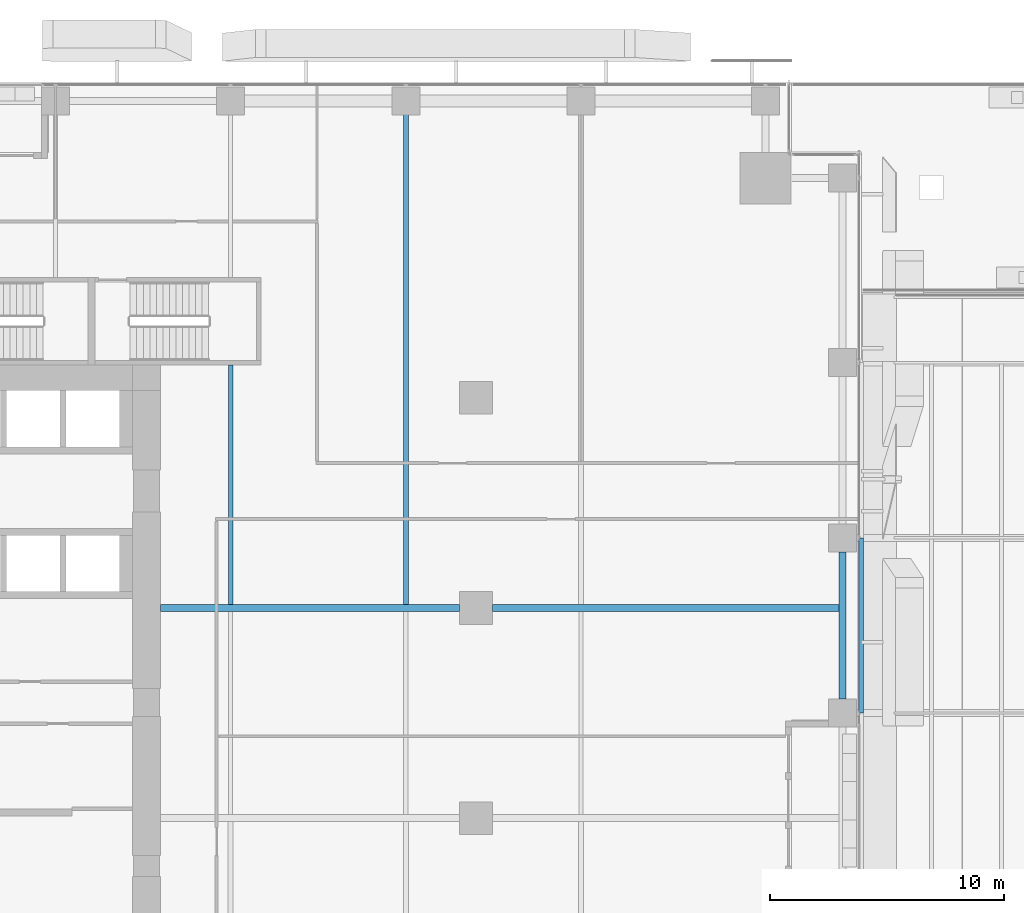
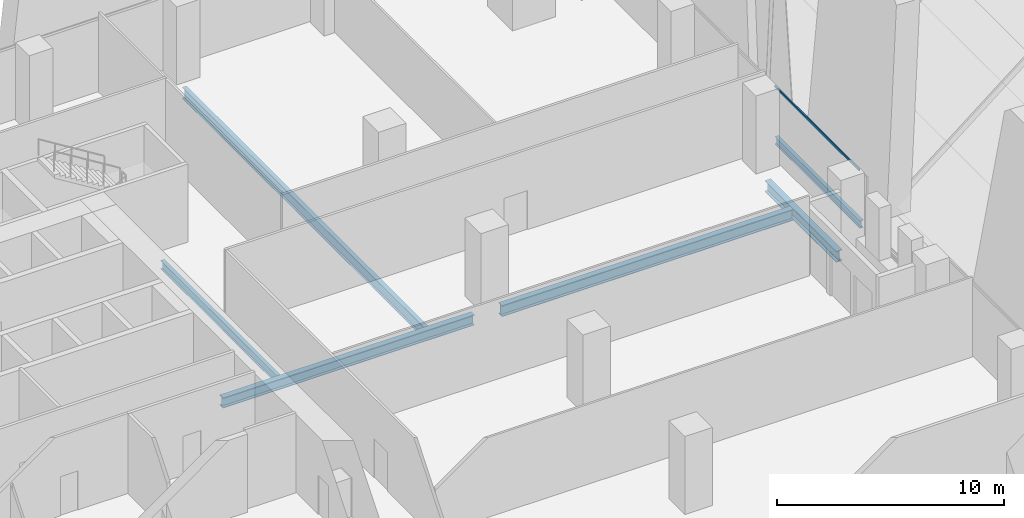
# One storey, part 17 of 46: 5 beams, 2 members, 1 element without a shape of its own.
"""IFC4 building model written with IfcOpenShell, lengths in metres."""

import ifcopenshell
import ifcopenshell.guid

model = None  # the IFC model being written
_history = None  # IfcOwnerHistory: only IFC2X3 demands one
_inside = {}  # id of a spatial element -> (the spatial element, [elements in it])
_under = {}  # id of a project, library or spatial element -> (it, [spatial elements below it])
_declared = {}  # id of a project -> (the project, [libraries it declares])
_typed = {}  # id of a type object -> (the type object, [elements of that type])
_made_of = {}  # id of a material, layer set ... -> (it, [elements and type objects made of it])


def new_model(schema):
    """Start an empty IFC model of exactly this schema.

    Asked for "IFC4X3", IfcOpenShell would pick the latest addendum, in which some entities
    have other attributes; the version numbers below select the first issue.
    IFC2X3 requires an IfcOwnerHistory on every rooted entity: one is made here for all.
    """
    global model, _history
    if schema == "IFC4X3":
        model = ifcopenshell.file(schema_version=(4, 3, 0, 0))
    else:
        model = ifcopenshell.file(schema=schema)
    _inside.clear()
    _under.clear()
    _declared.clear()
    _typed.clear()
    _made_of.clear()
    _history = None
    if model.schema == "IFC2X3":
        org = make("IfcOrganization", Name="unknown")
        user = make(
            "IfcPersonAndOrganization",
            ThePerson=make("IfcPerson", FamilyName="unknown"),
            TheOrganization=org,
        )
        app = make(
            "IfcApplication",
            ApplicationDeveloper=org,
            Version="unknown",
            ApplicationFullName="unknown",
            ApplicationIdentifier="unknown",
        )
        _history = make(
            "IfcOwnerHistory",
            OwningUser=user,
            OwningApplication=app,
            ChangeAction="ADDED",
            CreationDate=0,
        )
    return model


def make(cls, **values):
    """One entity of the class cls with the attributes given. An attribute that is None is left unset."""
    return model.create_entity(
        cls, **{name: value for name, value in values.items() if value is not None}
    )


def rooted(cls, **values):
    """An entity with a GlobalId (a new one), such as an element, a storey or a relation."""
    return make(cls, GlobalId=ifcopenshell.guid.new(), OwnerHistory=_history, **values)


def si_unit(unit_type, name, prefix=None):
    """IfcSIUnit, for example si_unit("LENGTHUNIT", "METRE", prefix="MILLI")."""
    return make("IfcSIUnit", UnitType=unit_type, Prefix=prefix, Name=name)


def assignment(units):
    """IfcUnitAssignment: the units of a project."""
    return None if units is None else make("IfcUnitAssignment", Units=units)


def point(xyz):
    """IfcCartesianPoint."""
    return None if xyz is None else make("IfcCartesianPoint", Coordinates=xyz)


def direction(xyz):
    """IfcDirection."""
    return None if xyz is None else make("IfcDirection", DirectionRatios=xyz)


def frame(location, z_axis=None, x_axis=None):
    """IfcAxis2Placement3D, a coordinate frame: its origin and axes. An axis left out is left unset."""
    return make(
        "IfcAxis2Placement3D",
        Location=point(location),
        Axis=direction(z_axis),
        RefDirection=direction(x_axis),
    )


def frame_2d(location, x_axis=None):
    """IfcAxis2Placement2D, a coordinate frame in the plane: its origin and x axis."""
    return make(
        "IfcAxis2Placement2D", Location=point(location), RefDirection=direction(x_axis)
    )


def origin():
    """The frame at (0, 0, 0) with its axes left unset."""
    return frame((0.0, 0.0, 0.0))


def origin_2d():
    """The frame at (0, 0) in the plane with its x axis left unset."""
    return frame_2d((0.0, 0.0))


def place(relative_to, where):
    """IfcLocalPlacement: puts the frame where relative to a parent placement (None: the world)."""
    return make(
        "IfcLocalPlacement", PlacementRelTo=relative_to, RelativePlacement=where
    )


def context(
    kind, dimensions, precision=None, world=None, true_north=None, identifier=None
):
    """IfcGeometricRepresentationContext, for example the 3D "Model" context."""
    return make(
        "IfcGeometricRepresentationContext",
        ContextIdentifier=identifier,
        ContextType=kind,
        CoordinateSpaceDimension=dimensions,
        Precision=precision,
        WorldCoordinateSystem=world,
        TrueNorth=true_north,
    )


def subcontext(parent, identifier, kind, view, scale=None):
    """IfcGeometricRepresentationSubContext, for example "Body" below "Model"."""
    return make(
        "IfcGeometricRepresentationSubContext",
        ContextIdentifier=identifier,
        ContextType=kind,
        ParentContext=parent,
        TargetScale=scale,
        TargetView=view,
    )


def project(units=None, contexts=None):
    """IfcProject with its units and contexts."""
    return rooted(
        "IfcProject",
        Name="project",
        RepresentationContexts=contexts,
        UnitsInContext=assignment(units),
    )


def spatial(cls, under=None, at=None, **own):
    """A site, building, storey or space (cls), placed at a placement, below another one or the project."""
    s = rooted(cls, ObjectPlacement=at, **own)
    if under is not None:
        _under.setdefault(under.id(), (under, []))[1].append(s)
    return s


def profile(cls, at=None, kind="AREA", **sizes):
    """A parametric profile (cls). Its sizes go by their IFC names, for example OverallWidth=200.0."""
    return make(cls, ProfileType=kind, Position=at, **sizes)


def hollow_rectangle(**sizes):
    """IfcRectangleHollowProfileDef."""
    return profile("IfcRectangleHollowProfileDef", **sizes)


def i_section(**sizes):
    """IfcIShapeProfileDef."""
    return profile("IfcIShapeProfileDef", **sizes)


def extrude(swept, where, along, depth):
    """IfcExtrudedAreaSolid: the profile swept, set in the frame where, extruded along a direction by depth."""
    return make(
        "IfcExtrudedAreaSolid",
        SweptArea=swept,
        Position=where,
        ExtrudedDirection=direction(along),
        Depth=depth,
    )


def shape(context_of_items, identifier, shape_type, items):
    """IfcShapeRepresentation: the items that make up one representation, for example the "Body"."""
    return make(
        "IfcShapeRepresentation",
        ContextOfItems=context_of_items,
        RepresentationIdentifier=identifier,
        RepresentationType=shape_type,
        Items=items,
    )


def source(mapping_origin, context_of_items, identifier, shape_type, items):
    """IfcRepresentationMap: a shape defined once, which mapped items show again and again."""
    return make(
        "IfcRepresentationMap",
        MappingOrigin=mapping_origin,
        MappedRepresentation=shape(context_of_items, identifier, shape_type, items),
    )


def transform(
    local_origin,
    x_axis=None,
    y_axis=None,
    z_axis=None,
    scale=None,
    scale2=None,
    scale3=None,
    uniform=True,
):
    """IfcCartesianTransformationOperator3D, or its non-uniform kind. x_axis, y_axis, z_axis: its Axis1, 2, 3."""
    if uniform:
        return make(
            "IfcCartesianTransformationOperator3D",
            Axis1=direction(x_axis),
            Axis2=direction(y_axis),
            LocalOrigin=point(local_origin),
            Scale=scale,
            Axis3=direction(z_axis),
        )
    return make(
        "IfcCartesianTransformationOperator3DnonUniform",
        Axis1=direction(x_axis),
        Axis2=direction(y_axis),
        LocalOrigin=point(local_origin),
        Scale=scale,
        Axis3=direction(z_axis),
        Scale2=scale2,
        Scale3=scale3,
    )


def mapped(mapping_source, mapping_target):
    """IfcMappedItem: shows the shape of a source again, moved by a transform."""
    return make(
        "IfcMappedItem", MappingSource=mapping_source, MappingTarget=mapping_target
    )


def material(Name=None, Category=None):
    """IfcMaterial."""
    return make("IfcMaterial", Name=Name, Category=Category)


def material_profile(
    of_material, cross_section, Name=None, Category=None, Priority=None
):
    """IfcMaterialProfile: a cross section and its material."""
    return make(
        "IfcMaterialProfile",
        Name=Name,
        Material=of_material,
        Profile=cross_section,
        Priority=Priority,
        Category=Category,
    )


def profile_set(profiles, Name=None, composite=None):
    """IfcMaterialProfileSet."""
    return make(
        "IfcMaterialProfileSet",
        Name=Name,
        MaterialProfiles=profiles,
        CompositeProfile=composite,
    )


def made_of(thing, what):
    """Note that an element or type object is made of a material, layer set ...; save() writes the relation."""
    if what is not None:
        _made_of.setdefault(what.id(), (what, []))[1].append(thing)
    return thing


def type_object(cls, material=None, **own):
    """A type object (cls), such as IfcWallType, which elements share."""
    return made_of(rooted(cls, **own), material)


def element(
    cls,
    number,
    at=None,
    inside=None,
    cuts=None,
    type_object=None,
    material=None,
    context=None,
    identifier="Body",
    shape_type=None,
    held_by="IfcProductDefinitionShape",
    body=None,
    shapes=None,
    **own,
):
    """One element of the class cls, such as IfcWall. Its Tag is "e" and its number.

    at: its placement. inside: the storey or other place that contains it. cuts: it is an
    opening in that element (IfcRelVoidsElement). A single representation is given by context,
    identifier, shape_type and body (its items); several are given by shapes. held_by: the class
    of the entity that holds the representations. save() writes the other relations.
    """
    e = rooted(cls, Tag="e%d" % number, ObjectPlacement=at, **own)
    if body is not None:
        shapes = [shape(context, identifier, shape_type, body)]
    if shapes is not None:
        e.Representation = make(held_by, Representations=shapes)
    if inside is not None:
        _inside.setdefault(inside.id(), (inside, []))[1].append(e)
    if cuts is not None:
        rooted(
            "IfcRelVoidsElement", RelatingBuildingElement=cuts, RelatedOpeningElement=e
        )
    if type_object is not None:
        _typed.setdefault(type_object.id(), (type_object, []))[1].append(e)
    return made_of(e, material)


def aggregate(whole, parts):
    """IfcRelAggregates: a whole, such as a stair, and the parts it consists of."""
    return rooted("IfcRelAggregates", RelatingObject=whole, RelatedObjects=parts)


def save(model, path):
    """Write the relations noted so far, then the file.

    IfcRelAggregates (storeys below a building ...), IfcRelContainedInSpatialStructure (elements
    in a storey), IfcRelDefinesByType, IfcRelAssociatesMaterial and IfcRelDeclares: one each for
    every whole, place, type object, material and project.
    """
    for whole, parts in _under.values():
        aggregate(whole, parts)
    for where, things in _inside.values():
        rooted(
            "IfcRelContainedInSpatialStructure",
            RelatedElements=things,
            RelatingStructure=where,
        )
    for kind, things in _typed.values():
        rooted("IfcRelDefinesByType", RelatedObjects=things, RelatingType=kind)
    for what, things in _made_of.values():
        rooted("IfcRelAssociatesMaterial", RelatedObjects=things, RelatingMaterial=what)
    for by, libraries in _declared.values():
        rooted("IfcRelDeclares", RelatingContext=by, RelatedDefinitions=libraries)
    model.write(path)


model = new_model("IFC4")

# Units and contexts
model_context = context("Model", 3, precision=1e-05, world=origin(), true_north=direction((0.0, 1.0)))
body_context = subcontext(model_context, "Body", "Model", "MODEL_VIEW")
ifc_project = project(units=[si_unit("LENGTHUNIT", "METRE"), si_unit("AREAUNIT", "SQUARE_METRE"), si_unit("VOLUMEUNIT", "CUBIC_METRE"), si_unit("PLANEANGLEUNIT", "RADIAN"), si_unit("MASSUNIT", "GRAM", prefix="KILO")], contexts=[model_context])

# Site, building, storey
site_placement = place(None, origin())
site = spatial("IfcSite", under=ifc_project, at=site_placement, CompositionType="ELEMENT")
building_placement = place(site_placement, origin())
building = spatial("IfcBuilding", under=site, at=building_placement, Name="Khomas Fold Tower", CompositionType="ELEMENT")
storey_placement = place(building_placement, frame((0.0, 0.0, 33.0)))
storey = spatial("IfcBuildingStorey", under=building, at=storey_placement, Name="L06", CompositionType="ELEMENT", Elevation=33.0)

# Beams
ifc_material_1 = material(Name="Steel S355", Category="steel")
ifc_material_profile_1 = material_profile(ifc_material_1, i_section(OverallWidth=0.300048828125, OverallDepth=0.550048828125, WebThickness=0.014892578125, FlangeThickness=0.029052734375, at=origin_2d()), Name="HE 550 B")
ifc_profile_set_1 = profile_set([ifc_material_profile_1], Name="Steel S355")
beam_type_1 = type_object("IfcBeamType", Name="HE 550 B beam GB4", PredefinedType="BEAM", material=ifc_profile_set_1)
shared_shape_1 = source(origin(), body_context, "Body", "SweptSolid", [
    extrude(i_section(OverallWidth=0.300048828125, OverallDepth=0.550048828125, WebThickness=0.014892578125, FlangeThickness=0.029052734375, at=origin_2d()), origin(), (0.0, 0.0, 1.0), 12.800048828125),
])
beam_1_placement = place(storey_placement, frame((24.0, 31.5, -0.77490234375), z_axis=(1.0, 0.0, 0.0), x_axis=(0.0, 1.0, 0.0)))
element("IfcBeam", 1, at=beam_1_placement, inside=storey, type_object=beam_type_1, Name="GB4", PredefinedType="BEAM", context=body_context, shape_type="MappedRepresentation", body=[
    mapped(shared_shape_1, transform((0.0, 0.0, 0.0))),
])
ifc_material_2 = material(Name="Steel S355", Category="steel")
ifc_material_profile_2 = material_profile(ifc_material_2, i_section(OverallWidth=0.18994140625, OverallDepth=0.449951171875, WebThickness=0.009521484375, FlangeThickness=0.0146484375, at=origin_2d()), Name="IPE 450")
ifc_profile_set_2 = profile_set([ifc_material_profile_2], Name="Steel S355")
beam_type_2 = type_object("IfcBeamType", Name="IPE 450 beam JB4", PredefinedType="BEAM", material=ifc_profile_set_2)
shared_shape_2 = source(origin(), body_context, "Body", "SweptSolid", [
    extrude(i_section(OverallWidth=0.18994140625, OverallDepth=0.449951171875, WebThickness=0.009521484375, FlangeThickness=0.0146484375, at=origin_2d()), origin(), (0.0, 0.0, 1.0), 10.25),
])
beam_2_placement = place(storey_placement, frame((27.0, 31.64990234375, -0.72509765625), z_axis=(0.0, 1.0, 0.0), x_axis=(-1.0, 0.0, 0.0)))
element("IfcBeam", 2, at=beam_2_placement, inside=storey, type_object=beam_type_2, Name="JB4", PredefinedType="BEAM", context=body_context, shape_type="MappedRepresentation", body=[
    mapped(shared_shape_2, transform((0.0, 0.0, 0.0))),
])
ifc_material_3 = material(Name="Steel S355", Category="steel")
ifc_material_profile_3 = material_profile(ifc_material_3, i_section(OverallWidth=0.300048828125, OverallDepth=0.60009765625, WebThickness=0.015380859375, FlangeThickness=0.030029296875, at=origin_2d()), Name="HE 600 B")
ifc_profile_set_3 = profile_set([ifc_material_profile_3], Name="Steel S355")
beam_type_3 = type_object("IfcBeamType", Name="HE 600 B spandrel SB1", PredefinedType="SPANDREL", material=ifc_profile_set_3)
shared_shape_3 = source(origin(), body_context, "Body", "SweptSolid", [
    extrude(i_section(OverallWidth=0.300048828125, OverallDepth=0.60009765625, WebThickness=0.015380859375, FlangeThickness=0.030029296875, at=origin_2d()), origin(), (0.0, 0.0, 1.0), 6.2998046875),
])
beam_3_placement = place(storey_placement, frame((53.199951171875, 27.60009765625, -0.800048828125), z_axis=(0.0, 1.0, 0.0), x_axis=(-1.0, 0.0, 0.0)))
element("IfcBeam", 3, at=beam_3_placement, inside=storey, type_object=beam_type_3, Name="SB1", PredefinedType="SPANDREL", context=body_context, shape_type="MappedRepresentation", body=[
    mapped(shared_shape_3, transform((0.0, 0.0, 0.0))),
])
ifc_material_4 = material(Name="Steel S355", Category="steel")
ifc_material_profile_4 = material_profile(ifc_material_4, i_section(OverallWidth=0.300048828125, OverallDepth=0.60009765625, WebThickness=0.015380859375, FlangeThickness=0.030029296875, at=origin_2d()), Name="HE 600 B")
ifc_profile_set_4 = profile_set([ifc_material_profile_4], Name="Steel S355")
beam_type_4 = type_object("IfcBeamType", Name="HE 600 B beam GB5", PredefinedType="BEAM", material=ifc_profile_set_4)
shared_shape_4 = source(origin(), body_context, "Body", "SweptSolid", [
    extrude(i_section(OverallWidth=0.300048828125, OverallDepth=0.60009765625, WebThickness=0.015380859375, FlangeThickness=0.030029296875, at=origin_2d()), origin(), (0.0, 0.0, 1.0), 14.85009765625),
])
beam_4_placement = place(storey_placement, frame((38.199951171875, 31.5, -0.800048828125), z_axis=(1.0, 0.0, 0.0), x_axis=(0.0, 1.0, 0.0)))
element("IfcBeam", 4, at=beam_4_placement, inside=storey, type_object=beam_type_4, Name="GB5", PredefinedType="BEAM", context=body_context, shape_type="MappedRepresentation", body=[
    mapped(shared_shape_4, transform((0.0, 0.0, 0.0))),
])
ifc_material_5 = material(Name="Steel S355", Category="steel")
ifc_material_profile_5 = material_profile(ifc_material_5, i_section(OverallWidth=0.219970703125, OverallDepth=0.60009765625, WebThickness=0.011962890625, FlangeThickness=0.01904296875, at=origin_2d()), Name="IPE 600")
ifc_profile_set_5 = profile_set([ifc_material_profile_5], Name="Steel S355")
beam_type_5 = type_object("IfcBeamType", Name="IPE 600 beam JB7", PredefinedType="BEAM", material=ifc_profile_set_5)
shared_shape_5 = source(origin(), body_context, "Body", "SweptSolid", [
    extrude(i_section(OverallWidth=0.219970703125, OverallDepth=0.60009765625, WebThickness=0.011962890625, FlangeThickness=0.01904296875, at=origin_2d()), origin(), (0.0, 0.0, 1.0), 21.300048828125),
])
beam_5_placement = place(storey_placement, frame((34.5, 31.64990234375, -0.800048828125), z_axis=(0.0, 1.0, 0.0), x_axis=(-1.0, 0.0, 0.0)))
element("IfcBeam", 5, at=beam_5_placement, inside=storey, type_object=beam_type_5, Name="JB7", PredefinedType="BEAM", context=body_context, shape_type="MappedRepresentation", body=[
    mapped(shared_shape_5, transform((0.0, 0.0, 0.0))),
])

# Curtain wall, member
ifc_material_6 = material(Name="Aluminium framed double glazing", Category="aluminium")
curtain_wall_type = type_object("IfcCurtainWallType", Name="SK-Unitised clear-glass wall, growing floors CW1", PredefinedType="NOTDEFINED", material=ifc_material_6)
curtain_wall_placement = place(storey_placement, origin())
curtain_wall = element("IfcCurtainWall", 6, at=curtain_wall_placement, inside=storey, type_object=curtain_wall_type, Name="CW1 run L06 03-1", PredefinedType="NOTDEFINED")
ifc_material_7 = material(Name="Aluminium", Category="aluminium")
ifc_material_profile_6 = material_profile(ifc_material_7, hollow_rectangle(XDim=0.06005859375, YDim=0.1201171875, WallThickness=0.00390625, at=origin_2d()), Name="SK-Unitised clear-glass wall, growing floors transom CW1-T")
ifc_profile_set_6 = profile_set([ifc_material_profile_6], Name="Aluminium")
member_type_1 = type_object("IfcMemberType", Name="SK-Unitised clear-glass wall, growing floors transom CW1-T", PredefinedType="USERDEFINED", material=ifc_profile_set_6)
shared_shape_6 = source(origin(), body_context, "Body", "SweptSolid", [
    extrude(hollow_rectangle(XDim=0.06005859375, YDim=0.1201171875, WallThickness=0.00390625, at=origin_2d()), origin(), (0.0, 0.0, 1.0), 7.43994140625),
])
member_1_placement = place(storey_placement, frame((53.89990234375, 27.030029296875, 3.93994140625), z_axis=(0.0, 1.0, 0.0), x_axis=(-1.0, 0.0, 0.0)))
member_1 = element("IfcMember", 7, at=member_1_placement, type_object=member_type_1, Name="CW1 transom 2", ObjectType="TRANSOM", PredefinedType="USERDEFINED", context=body_context, shape_type="MappedRepresentation", body=[
    mapped(shared_shape_6, transform((0.0, 0.0, 0.0))),
])
aggregate(curtain_wall, [member_1])

# Member
ifc_material_8 = material(Name="Steel S355", Category="steel")
ifc_material_profile_7 = material_profile(ifc_material_8, i_section(OverallWidth=0.179931640625, OverallDepth=0.39990234375, WebThickness=0.008544921875, FlangeThickness=0.013427734375, at=origin_2d()), Name="IPE 400")
ifc_profile_set_7 = profile_set([ifc_material_profile_7], Name="Steel S355")
member_type_2 = type_object("IfcMemberType", Name="IPE 400 userdefined RF-P", PredefinedType="USERDEFINED", material=ifc_profile_set_7)
shared_shape_7 = source(origin(), body_context, "Body", "SweptSolid", [
    extrude(i_section(OverallWidth=0.179931640625, OverallDepth=0.39990234375, WebThickness=0.008544921875, FlangeThickness=0.013427734375, at=origin_2d()), origin(), (0.0, 0.0, 1.0), 7.5),
])
member_2_placement = place(storey_placement, frame((54.0, 27.0, 1.0), z_axis=(0.0, 1.0, 0.0), x_axis=(-1.0, 0.0, 0.0)))
element("IfcMember", 8, at=member_2_placement, inside=storey, type_object=member_type_2, Name="Rooflight purlin", ObjectType="PURLIN", PredefinedType="USERDEFINED", context=body_context, shape_type="MappedRepresentation", body=[
    mapped(shared_shape_7, transform((0.0, 0.0, 0.0))),
])

save(model, "model.ifc")
